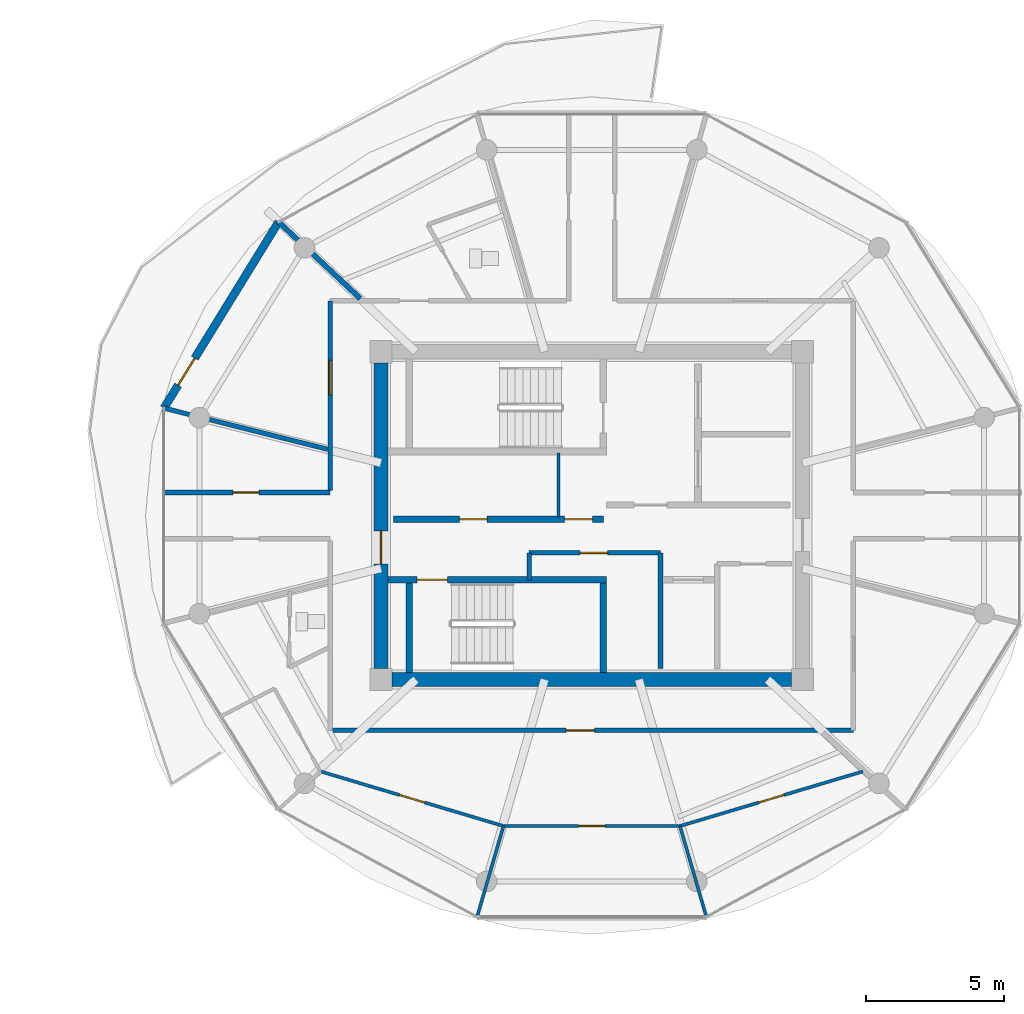
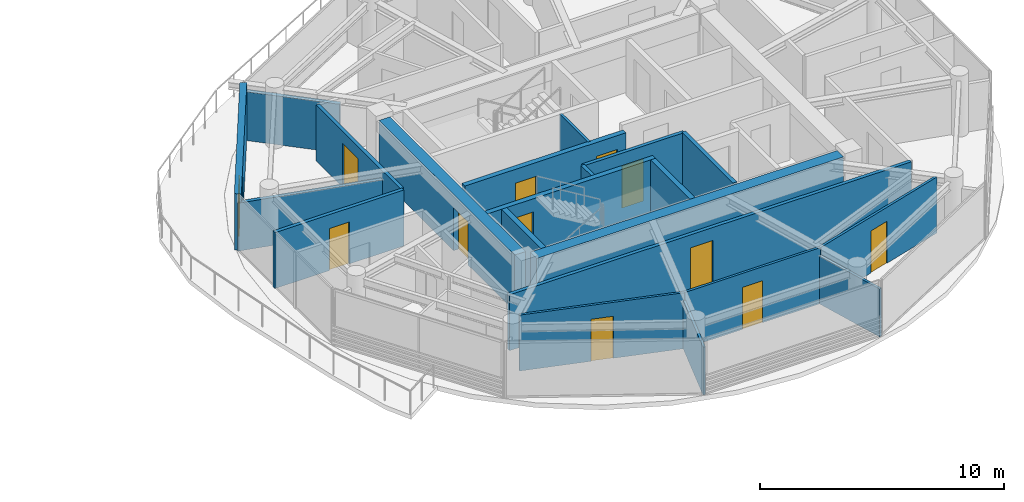
# One storey, part 12 of 19: 21 walls, 12 doors, 12 openings.
"""IFC4 building model written with IfcOpenShell, lengths in metres."""

from ifc_helpers import new_model, si_unit, direction, frame, frame_2d, origin, place, context, subcontext, project, spatial, rectangle, extrude, source, transform, mapped, material, layer, layer_set, type_object, type_shapes, element, fill, save


model = new_model("IFC4")

# Units and contexts
model_context = context("Model", 3, precision=1e-05, world=origin(), true_north=direction((0.0, 1.0)))
body_context = subcontext(model_context, "Body", "Model", "MODEL_VIEW")
ifc_project = project(units=[si_unit("LENGTHUNIT", "METRE"), si_unit("AREAUNIT", "SQUARE_METRE"), si_unit("VOLUMEUNIT", "CUBIC_METRE"), si_unit("PLANEANGLEUNIT", "RADIAN"), si_unit("MASSUNIT", "GRAM", prefix="KILO")], contexts=[model_context])

# Site, building, storey
site_placement = place(None, origin())
site = spatial("IfcSite", under=ifc_project, at=site_placement, CompositionType="ELEMENT")
building_placement = place(site_placement, origin())
building = spatial("IfcBuilding", under=site, at=building_placement, Name="Norrkilde Senior Care Towers", CompositionType="ELEMENT")
storey_placement = place(building_placement, frame((0.0, 0.0, 193.699951171875)))
storey = spatial("IfcBuildingStorey", under=building, at=storey_placement, Name="L60", CompositionType="ELEMENT", Elevation=193.699951171875)

# Wall
ifc_material_1 = material(Name="Concrete C50/60", Category="concrete")
ifc_layer_1 = layer(ifc_material_1, 0.52001953125)
ifc_layer_set_1 = layer_set([ifc_layer_1], Name="Concrete C50/60")
wall_type_1 = type_object("IfcWallType", Name="Core Shear Wall Z4 520", PredefinedType="SHEAR", material=ifc_layer_set_1)
shared_shape_1 = source(origin(), body_context, "Body", "SweptSolid", [
    extrude(rectangle(XDim=14.5, YDim=0.52001953125, at=frame_2d((7.25, 0.0))), origin(), (0.0, 0.0, 1.0), 2.81005859375),
])
wall_1_placement = place(storey_placement, frame((35.25, -5.949951171875, 0.0), z_axis=(0.0, 0.0, 1.0), x_axis=(-1.0, 0.0, 0.0)))
element("IfcWall", 1, at=wall_1_placement, inside=storey, type_object=wall_type_1, Name="L60 Core E South Shear Wall", PredefinedType="SHEAR", context=body_context, shape_type="MappedRepresentation", body=[
    mapped(shared_shape_1, transform((0.0, 0.0, 0.0), x_axis=(1.0, 0.0, 0.0), y_axis=(0.0, 1.0, 0.0), z_axis=(0.0, 0.0, 1.0), scale=1.0)),
])

# Wall, opening, door
shared_shape_2 = source(origin(), body_context, "Body", "SweptSolid", [
    extrude(rectangle(XDim=11.10009765625, YDim=0.52001953125, at=frame_2d((5.550048828125, 0.0))), origin(), (0.0, 0.0, 1.0), 2.81005859375),
])
type_shapes(wall_type_1, [shared_shape_1, shared_shape_2])
wall_2_placement = place(storey_placement, frame((20.35009765625, -5.550048828125, 0.0), z_axis=(0.0, 0.0, 1.0), x_axis=(0.0, 1.0, 0.0)))
wall_2 = element("IfcWall", 2, at=wall_2_placement, inside=storey, type_object=wall_type_1, Name="L60 Core E West Shear Wall", PredefinedType="SHEAR", context=body_context, shape_type="MappedRepresentation", body=[
    mapped(shared_shape_2, transform((0.0, 0.0, 0.0), x_axis=(1.0, 0.0, 0.0), y_axis=(0.0, 1.0, 0.0), z_axis=(0.0, 0.0, 1.0), scale=1.0)),
])
opening_1_placement = place(wall_2_placement, frame((3.800048828125, 0.0, 0.0)))
opening_1 = element("IfcOpeningElement", 3, at=opening_1_placement, cuts=wall_2, Name="Opening D-04", PredefinedType="OPENING", context=body_context, shape_type="SweptSolid", body=[
    extrude(rectangle(XDim=1.199951171875, YDim=2.14990234375, at=frame_2d((0.60009765625, 1.074951171875))), frame((0.0, 0.27001953125, 0.0), z_axis=(0.0, -1.0, 0.0), x_axis=(1.0, 0.0, 0.0)), (0.0, 0.0, 1.0), 0.5400390625),
])
ifc_material_2 = material(Name="Galvanised Painted Steel", Category="steel")
door_type_1 = type_object("IfcDoorType", Name="Firefighting Lobby Fire Door 1200x2150", OperationType="NOTDEFINED", PredefinedType="DOOR", material=ifc_material_2)
shared_shape_3 = source(origin(), body_context, "Body", "SweptSolid", [
    extrude(rectangle(XDim=1.199951171875, YDim=2.14990234375, at=frame_2d((0.60009765625, 1.074951171875))), frame((0.0, 0.02490234375, 0.0), z_axis=(0.0, -1.0, 0.0), x_axis=(1.0, 0.0, 0.0)), (0.0, 0.0, 1.0), 0.050048828125),
])
type_shapes(door_type_1, [shared_shape_3])
door_1_placement = place(opening_1_placement, frame((1.199951171875, 0.0, 0.0), z_axis=(0.0, 0.0, 1.0), x_axis=(-1.0, 0.0, 0.0)))
door_1 = element("IfcDoor", 4, at=door_1_placement, inside=storey, type_object=door_type_1, Name="L60 Core E West Portal Door", OperationType="SINGLE_SWING_LEFT", OverallHeight=2.14990234375, OverallWidth=1.199951171875, PredefinedType="DOOR", context=body_context, shape_type="MappedRepresentation", body=[
    mapped(shared_shape_3, transform((0.0, 0.0, 0.0), x_axis=(1.0, 0.0, 0.0), y_axis=(0.0, 1.0, 0.0), z_axis=(0.0, 0.0, 1.0), scale=1.0)),
])
fill(opening_1, door_1)

ifc_material_3 = material(Name="Precast concrete C45/55", Category="concrete")
ifc_layer_2 = layer(ifc_material_3, 0.2900390625)
ifc_layer_set_2 = layer_set([ifc_layer_2], Name="Precast concrete C45/55")
wall_type_2 = type_object("IfcWallType", Name="Winter Garden Facade Wall 290", PredefinedType="SOLIDWALL", material=ifc_layer_set_2)
shared_shape_4 = source(origin(), body_context, "Body", "SweptSolid", [
    extrude(rectangle(XDim=7.938232421875, YDim=0.2900390625, at=frame_2d((3.96923828125, 0.0))), origin(), (0.0, 0.0, 1.0), 2.81005859375),
])
type_shapes(wall_type_2, [shared_shape_4])
wall_3_placement = place(storey_placement, frame((12.468017578125, 3.903076171875, 0.0), z_axis=(0.0, 0.0, 1.0), x_axis=(0.524244987663, 0.851567491694, 0.0)))
wall_3 = element("IfcWall", 5, at=wall_3_placement, inside=storey, type_object=wall_type_2, Name="L60 Drum E Balcony Access Wall 04", PredefinedType="SOLIDWALL", context=body_context, shape_type="MappedRepresentation", body=[
    mapped(shared_shape_4, transform((0.0, 0.0, 0.0), x_axis=(1.0, 0.0, 0.0), y_axis=(0.0, 1.0, 0.0), z_axis=(0.0, 0.0, 1.0), scale=1.0)),
])
opening_2_placement = place(wall_3_placement, frame((0.97998046875, 0.0, 0.0)))
opening_2 = element("IfcOpeningElement", 6, at=opening_2_placement, cuts=wall_3, Name="Opening D-09", PredefinedType="OPENING", context=body_context, shape_type="SweptSolid", body=[
    extrude(rectangle(XDim=1.14990234375, YDim=2.25, at=frame_2d((0.574951171875, 1.125))), frame((0.0, 0.155029296875, 0.0), z_axis=(0.0, -1.0, 0.0), x_axis=(1.0, 0.0, 0.0)), (0.0, 0.0, 1.0), 0.31005859375),
])
ifc_material_4 = material(Name="Anodised Aluminium", Category="aluminium")
door_type_2 = type_object("IfcDoorType", Name="Terrace and Balcony Glazed Door 1150x2250", OperationType="NOTDEFINED", PredefinedType="DOOR", material=ifc_material_4)
shared_shape_5 = source(origin(), body_context, "Body", "SweptSolid", [
    extrude(rectangle(XDim=1.14990234375, YDim=2.25, at=frame_2d((0.574951171875, 1.125))), frame((0.0, 0.02490234375, 0.0), z_axis=(0.0, -1.0, 0.0), x_axis=(1.0, 0.0, 0.0)), (0.0, 0.0, 1.0), 0.050048828125),
])
type_shapes(door_type_2, [shared_shape_5])
door_2_placement = place(opening_2_placement, origin())
door_2 = element("IfcDoor", 7, at=door_2_placement, inside=storey, type_object=door_type_2, Name="L60 Drum E Outdoor Terrace Door 04", OperationType="SINGLE_SWING_LEFT", OverallHeight=2.25, OverallWidth=1.14990234375, PredefinedType="DOOR", context=body_context, shape_type="MappedRepresentation", body=[
    mapped(shared_shape_5, transform((0.0, 0.0, 0.0), x_axis=(1.0, 0.0, 0.0), y_axis=(0.0, 1.0, 0.0), z_axis=(0.0, 0.0, 1.0), scale=1.0)),
])
fill(opening_2, door_2)

# Wall, openings, doors
ifc_material_5 = material(Name="Concrete C45/55", Category="concrete")
ifc_layer_3 = layer(ifc_material_5, 0.239990234375)
ifc_layer_set_3 = layer_set([ifc_layer_3], Name="Concrete C45/55")
wall_type_3 = type_object("IfcWallType", Name="Lift and Plant Rated Enclosure Partition 240", PredefinedType="PARTITIONING", material=ifc_layer_set_3)
shared_shape_6 = source(origin(), body_context, "Body", "SweptSolid", [
    extrude(rectangle(XDim=7.619873046875, YDim=0.239990234375, at=frame_2d((3.81005859375, 0.0))), origin(), (0.0, 0.0, 1.0), 2.795166015625),
])
type_shapes(wall_type_3, [shared_shape_6])
wall_4_placement = place(storey_placement, frame((20.800048828125, -0.1298828125, 0.0), z_axis=(0.0, 0.0, 1.0), x_axis=(1.0, 0.0, 0.0)))
wall_4 = element("IfcWall", 8, at=wall_4_placement, inside=storey, type_object=wall_type_3, Name="WL-INT-L60-E-PKAS", PredefinedType="PARTITIONING", context=body_context, shape_type="MappedRepresentation", body=[
    mapped(shared_shape_6, transform((0.0, 0.0, 0.0), x_axis=(1.0, 0.0, 0.0), y_axis=(0.0, 1.0, 0.0), z_axis=(0.0, 0.0, 1.0), scale=1.0)),
])
opening_3_placement = place(wall_4_placement, frame((6.219970703125, 0.0, 0.0)))
opening_3 = element("IfcOpeningElement", 9, at=opening_3_placement, cuts=wall_4, Name="Opening D-10", PredefinedType="OPENING", context=body_context, shape_type="SweptSolid", body=[
    extrude(rectangle(XDim=1.0, YDim=2.10009765625, at=frame_2d((0.5, 1.050048828125))), frame((0.0, 0.1298828125, 0.0), z_axis=(0.0, -1.0, 0.0), x_axis=(1.0, 0.0, 0.0)), (0.0, 0.0, 1.0), 0.260009765625),
])
opening_4_placement = place(wall_4_placement, frame((2.39990234375, 0.0, 0.0)))
opening_4 = element("IfcOpeningElement", 10, at=opening_4_placement, cuts=wall_4, Name="Opening D-10", PredefinedType="OPENING", context=body_context, shape_type="SweptSolid", body=[
    extrude(rectangle(XDim=1.0, YDim=2.10009765625, at=frame_2d((0.5, 1.050048828125))), frame((0.0, 0.1298828125, 0.0), z_axis=(0.0, -1.0, 0.0), x_axis=(1.0, 0.0, 0.0)), (0.0, 0.0, 1.0), 0.260009765625),
])
door_type_3 = type_object("IfcDoorType", Name="Plant and Riser Rated Door 1000x2100", OperationType="NOTDEFINED", PredefinedType="DOOR", material=ifc_material_2)
shared_shape_7 = source(origin(), body_context, "Body", "SweptSolid", [
    extrude(rectangle(XDim=1.0, YDim=2.10009765625, at=frame_2d((0.5, 1.050048828125))), frame((0.0, 0.02490234375, 0.0), z_axis=(0.0, -1.0, 0.0), x_axis=(1.0, 0.0, 0.0)), (0.0, 0.0, 1.0), 0.050048828125),
])
type_shapes(door_type_3, [shared_shape_7])
door_3_placement = place(opening_3_placement, frame((1.0, 0.0, 0.0), z_axis=(0.0, 0.0, 1.0), x_axis=(-1.0, 0.0, 0.0)))
door_3 = element("IfcDoor", 11, at=door_3_placement, inside=storey, type_object=door_type_3, Name="L60 Electrical Riser E Door", OperationType="SINGLE_SWING_LEFT", OverallHeight=2.10009765625, OverallWidth=1.0, PredefinedType="DOOR", context=body_context, shape_type="MappedRepresentation", body=[
    mapped(shared_shape_7, transform((0.0, 0.0, 0.0), x_axis=(1.0, 0.0, 0.0), y_axis=(0.0, 1.0, 0.0), z_axis=(0.0, 0.0, 1.0), scale=1.0)),
])
fill(opening_3, door_3)
door_4_placement = place(opening_4_placement, frame((1.0, 0.0, 0.0), z_axis=(0.0, 0.0, 1.0), x_axis=(-1.0, 0.0, 0.0)))
door_4 = element("IfcDoor", 12, at=door_4_placement, inside=storey, type_object=door_type_3, Name="L60 Clean Supply Store E Door", OperationType="SINGLE_SWING_LEFT", OverallHeight=2.10009765625, OverallWidth=1.0, PredefinedType="DOOR", context=body_context, shape_type="MappedRepresentation", body=[
    mapped(shared_shape_7, transform((0.0, 0.0, 0.0), x_axis=(1.0, 0.0, 0.0), y_axis=(0.0, 1.0, 0.0), z_axis=(0.0, 0.0, 1.0), scale=1.0)),
])
fill(opening_4, door_4)

# Wall
ifc_material_6 = material(Name="Gypsum Acoustic Board")
ifc_layer_4 = layer(ifc_material_6, 0.114990234375)
ifc_layer_set_4 = layer_set([ifc_layer_4], Name="Gypsum Acoustic Board")
wall_type_4 = type_object("IfcWallType", Name="Internal Room Partition 115", PredefinedType="PARTITIONING", material=ifc_layer_set_4)
shared_shape_8 = source(origin(), body_context, "Body", "SweptSolid", [
    extrude(rectangle(XDim=2.330078125, YDim=0.114990234375, at=frame_2d((1.1650390625, 0.0))), origin(), (0.0, 0.0, 1.0), 2.795166015625),
])
wall_5_placement = place(storey_placement, frame((26.7900390625, -0.050048828125, 0.0), z_axis=(0.0, 0.0, 1.0), x_axis=(0.0, 1.0, 0.0)))
element("IfcWall", 13, at=wall_5_placement, inside=storey, type_object=wall_type_4, Name="WL-INT-L60-E-RISW", PredefinedType="PARTITIONING", context=body_context, shape_type="MappedRepresentation", body=[
    mapped(shared_shape_8, transform((0.0, 0.0, 0.0), x_axis=(1.0, 0.0, 0.0), y_axis=(0.0, 1.0, 0.0), z_axis=(0.0, 0.0, 1.0), scale=1.0)),
])

# Wall, opening, door
ifc_layer_5 = layer(ifc_material_6, 0.1650390625)
ifc_layer_set_5 = layer_set([ifc_layer_5], Name="Gypsum Acoustic Board")
wall_type_5 = type_object("IfcWallType", Name="Corridor Rated Partition 165", PredefinedType="PARTITIONING", material=ifc_layer_set_5)
shared_shape_9 = source(origin(), body_context, "Body", "SweptSolid", [
    extrude(rectangle(XDim=19.0, YDim=0.1650390625, at=frame_2d((9.5, 0.0))), origin(), (0.0, 0.0, 1.0), 2.795166015625),
])
wall_6_placement = place(storey_placement, frame((37.5, -7.800048828125, 0.0), z_axis=(0.0, 0.0, 1.0), x_axis=(-1.0, 0.0, 0.0)))
wall_6 = element("IfcWall", 14, at=wall_6_placement, inside=storey, type_object=wall_type_5, Name="WL-INT-L60-E-CRW-S-0", PredefinedType="PARTITIONING", context=body_context, shape_type="MappedRepresentation", body=[
    mapped(shared_shape_9, transform((0.0, 0.0, 0.0), x_axis=(1.0, 0.0, 0.0), y_axis=(0.0, 1.0, 0.0), z_axis=(0.0, 0.0, 1.0), scale=1.0)),
])
opening_5_placement = place(wall_6_placement, frame((9.39208984375, 0.0, 0.0)))
opening_5 = element("IfcOpeningElement", 15, at=opening_5_placement, cuts=wall_6, Name="Opening D-06", PredefinedType="OPENING", context=body_context, shape_type="SweptSolid", body=[
    extrude(rectangle(XDim=1.050048828125, YDim=2.14990234375, at=frame_2d((0.52490234375, 1.074951171875))), frame((0.0, 0.092529296875, 0.0), z_axis=(0.0, -1.0, 0.0), x_axis=(1.0, 0.0, 0.0)), (0.0, 0.0, 1.0), 0.18505859375),
])
ifc_material_7 = material(Name="Nordic Ash Timber", Category="wood")
door_type_4 = type_object("IfcDoorType", Name="Apartment Entrance Fire Door 1050x2150", OperationType="NOTDEFINED", PredefinedType="DOOR", material=ifc_material_7)
shared_shape_10 = source(origin(), body_context, "Body", "SweptSolid", [
    extrude(rectangle(XDim=1.050048828125, YDim=2.14990234375, at=frame_2d((0.52490234375, 1.074951171875))), frame((0.0, 0.02490234375, 0.0), z_axis=(0.0, -1.0, 0.0), x_axis=(1.0, 0.0, 0.0)), (0.0, 0.0, 1.0), 0.050048828125),
])
type_shapes(door_type_4, [shared_shape_10])
door_5_placement = place(opening_5_placement, frame((1.050048828125, 0.0, 0.0), z_axis=(0.0, 0.0, 1.0), x_axis=(-1.0, 0.0, 0.0)))
door_5 = element("IfcDoor", 16, at=door_5_placement, inside=storey, type_object=door_type_4, Name="Apartment 60D Entrance Door", OperationType="SINGLE_SWING_LEFT", OverallHeight=2.14990234375, OverallWidth=1.050048828125, PredefinedType="DOOR", context=body_context, shape_type="MappedRepresentation", body=[
    mapped(shared_shape_10, transform((0.0, 0.0, 0.0), x_axis=(1.0, 0.0, 0.0), y_axis=(0.0, 1.0, 0.0), z_axis=(0.0, 0.0, 1.0), scale=1.0)),
])
fill(opening_5, door_5)

shared_shape_11 = source(origin(), body_context, "Body", "SweptSolid", [
    extrude(rectangle(XDim=6.880126953125, YDim=0.1650390625, at=frame_2d((3.43994140625, 0.0))), origin(), (0.0, 0.0, 1.0), 2.795166015625),
])
wall_7_placement = place(storey_placement, frame((18.5, 0.919921875, 0.0), z_axis=(0.0, 0.0, 1.0), x_axis=(0.0, 1.0, 0.0)))
wall_7 = element("IfcWall", 17, at=wall_7_placement, inside=storey, type_object=wall_type_5, Name="WL-INT-L60-E-CRW-W-1", PredefinedType="PARTITIONING", context=body_context, shape_type="MappedRepresentation", body=[
    mapped(shared_shape_11, transform((0.0, 0.0, 0.0), x_axis=(1.0, 0.0, 0.0), y_axis=(0.0, 1.0, 0.0), z_axis=(0.0, 0.0, 1.0), scale=1.0)),
])
opening_6_placement = place(wall_7_placement, frame((3.46435546875, 0.0, 0.0)))
opening_6 = element("IfcOpeningElement", 18, at=opening_6_placement, cuts=wall_7, Name="Opening D-05", PredefinedType="OPENING", context=body_context, shape_type="SweptSolid", body=[
    extrude(rectangle(XDim=1.25, YDim=2.199951171875, at=frame_2d((0.625, 1.10009765625))), frame((0.0, 0.092529296875, 0.0), z_axis=(0.0, -1.0, 0.0), x_axis=(1.0, 0.0, 0.0)), (0.0, 0.0, 1.0), 0.18505859375),
])
door_type_5 = type_object("IfcDoorType", Name="Care Bedroom Bariatric Door 1250x2200", OperationType="NOTDEFINED", PredefinedType="DOOR", material=ifc_material_7)
shared_shape_12 = source(origin(), body_context, "Body", "SweptSolid", [
    extrude(rectangle(XDim=1.25, YDim=2.199951171875, at=frame_2d((0.625, 1.10009765625))), frame((0.0, 0.02490234375, 0.0), z_axis=(0.0, -1.0, 0.0), x_axis=(1.0, 0.0, 0.0)), (0.0, 0.0, 1.0), 0.050048828125),
])
type_shapes(door_type_5, [shared_shape_12])
door_6_placement = place(opening_6_placement, frame((1.25, 0.0, 0.0), z_axis=(0.0, 0.0, 1.0), x_axis=(-1.0, 0.0, 0.0)))
door_6 = element("IfcDoor", 19, at=door_6_placement, inside=storey, type_object=door_type_5, Name="L60 Senior Wellness Library Lounge Door", OperationType="SINGLE_SWING_LEFT", OverallHeight=2.199951171875, OverallWidth=1.25, PredefinedType="DOOR", context=body_context, shape_type="MappedRepresentation", body=[
    mapped(shared_shape_12, transform((0.0, 0.0, 0.0), x_axis=(1.0, 0.0, 0.0), y_axis=(0.0, 1.0, 0.0), z_axis=(0.0, 0.0, 1.0), scale=1.0)),
])
fill(opening_6, door_6)

# Wall
ifc_layer_6 = layer(ifc_material_5, 0.179931640625)
ifc_layer_set_6 = layer_set([ifc_layer_6], Name="Concrete C45/55")
wall_type_6 = type_object("IfcWallType", Name="Hoistway Division Rated Partition 180", PredefinedType="PARTITIONING", material=ifc_layer_set_6)
shared_shape_13 = source(origin(), body_context, "Body", "SweptSolid", [
    extrude(rectangle(XDim=4.199951171875, YDim=0.179931640625, at=frame_2d((2.10009765625, 0.0))), origin(), (0.0, 0.0, 1.0), 2.795166015625),
])
type_shapes(wall_type_6, [shared_shape_13])
wall_8_placement = place(storey_placement, frame((30.5, -5.550048828125, 0.0), z_axis=(0.0, 0.0, 1.0), x_axis=(0.0, 1.0, 0.0)))
element("IfcWall", 20, at=wall_8_placement, inside=storey, type_object=wall_type_6, Name="WL-INT-L60-E-PL4W", PredefinedType="PARTITIONING", context=body_context, shape_type="MappedRepresentation", body=[
    mapped(shared_shape_13, transform((0.0, 0.0, 0.0), x_axis=(1.0, 0.0, 0.0), y_axis=(0.0, 1.0, 0.0), z_axis=(0.0, 0.0, 1.0), scale=1.0)),
])

# Wall, opening, door
shared_shape_14 = source(origin(), body_context, "Body", "SweptSolid", [
    extrude(rectangle(XDim=4.77001953125, YDim=0.1650390625, at=frame_2d((2.385009765625, 0.0))), origin(), (0.0, 0.0, 1.0), 2.795166015625),
])
wall_9_placement = place(storey_placement, frame((25.72998046875, -1.35009765625, 0.0), z_axis=(0.0, 0.0, 1.0), x_axis=(1.0, 0.0, 0.0)))
wall_9 = element("IfcWall", 21, at=wall_9_placement, inside=storey, type_object=wall_type_5, Name="WL-INT-L60-E-FR2N", PredefinedType="PARTITIONING", context=body_context, shape_type="MappedRepresentation", body=[
    mapped(shared_shape_14, transform((0.0, 0.0, 0.0), x_axis=(1.0, 0.0, 0.0), y_axis=(0.0, 1.0, 0.0), z_axis=(0.0, 0.0, 1.0), scale=1.0)),
])
opening_7_placement = place(wall_9_placement, frame((1.85009765625, 0.0, 0.0)))
opening_7 = element("IfcOpeningElement", 22, at=opening_7_placement, cuts=wall_9, Name="Opening D-10", PredefinedType="OPENING", context=body_context, shape_type="SweptSolid", body=[
    extrude(rectangle(XDim=1.0, YDim=2.10009765625, at=frame_2d((0.5, 1.050048828125))), frame((0.0, 0.092529296875, 0.0), z_axis=(0.0, -1.0, 0.0), x_axis=(1.0, 0.0, 0.0)), (0.0, 0.0, 1.0), 0.18505859375),
])
door_7_placement = place(opening_7_placement, origin())
door_7 = element("IfcDoor", 23, at=door_7_placement, inside=storey, type_object=door_type_3, Name="L60 Core Pantry E Door", OperationType="SINGLE_SWING_RIGHT", OverallHeight=2.10009765625, OverallWidth=1.0, PredefinedType="DOOR", context=body_context, shape_type="MappedRepresentation", body=[
    mapped(shared_shape_7, transform((0.0, 0.0, 0.0), x_axis=(1.0, 0.0, 0.0), y_axis=(0.0, 1.0, 0.0), z_axis=(0.0, 0.0, 1.0), scale=1.0)),
])
fill(opening_7, door_7)

# Wall
shared_shape_15 = source(origin(), body_context, "Body", "SweptSolid", [
    extrude(rectangle(XDim=0.97998046875, YDim=0.1650390625, at=frame_2d((0.489990234375, 0.0))), origin(), (0.0, 0.0, 1.0), 2.795166015625),
])
wall_10_placement = place(storey_placement, frame((25.72998046875, -2.330078125, 0.0), z_axis=(0.0, 0.0, 1.0), x_axis=(0.0, 1.0, 0.0)))
element("IfcWall", 24, at=wall_10_placement, inside=storey, type_object=wall_type_5, Name="WL-INT-L60-E-FR2W", PredefinedType="PARTITIONING", context=body_context, shape_type="MappedRepresentation", body=[
    mapped(shared_shape_15, transform((0.0, 0.0, 0.0), x_axis=(1.0, 0.0, 0.0), y_axis=(0.0, 1.0, 0.0), z_axis=(0.0, 0.0, 1.0), scale=1.0)),
])

# Wall, opening, door
ifc_layer_7 = layer(ifc_material_5, 0.239990234375)
ifc_layer_set_7 = layer_set([ifc_layer_7], Name="Concrete C45/55")
wall_type_7 = type_object("IfcWallType", Name="Shaft and Stair Enclosure Wall 240", PredefinedType="PARTITIONING", material=ifc_layer_set_7)
shared_shape_16 = source(origin(), body_context, "Body", "SweptSolid", [
    extrude(rectangle(XDim=7.929931640625, YDim=0.239990234375, at=frame_2d((3.96484375, 0.0))), origin(), (0.0, 0.0, 1.0), 2.81005859375),
])
wall_11_placement = place(storey_placement, frame((20.610107421875, -2.330078125, 0.0), z_axis=(0.0, 0.0, 1.0), x_axis=(1.0, 0.0, 0.0)))
wall_11 = element("IfcWall", 25, at=wall_11_placement, inside=storey, type_object=wall_type_7, Name="WL-INT-L60-E-ST2N", PredefinedType="PARTITIONING", context=body_context, shape_type="MappedRepresentation", body=[
    mapped(shared_shape_16, transform((0.0, 0.0, 0.0), x_axis=(1.0, 0.0, 0.0), y_axis=(0.0, 1.0, 0.0), z_axis=(0.0, 0.0, 1.0), scale=1.0)),
])
opening_8_placement = place(wall_11_placement, frame((1.050048828125, 0.0, 0.0)))
opening_8 = element("IfcOpeningElement", 26, at=opening_8_placement, cuts=wall_11, Name="Opening D-03", PredefinedType="OPENING", context=body_context, shape_type="SweptSolid", body=[
    extrude(rectangle(XDim=1.10009765625, YDim=2.14990234375, at=frame_2d((0.550048828125, 1.074951171875))), frame((0.0, 0.1298828125, 0.0), z_axis=(0.0, -1.0, 0.0), x_axis=(1.0, 0.0, 0.0)), (0.0, 0.0, 1.0), 0.260009765625),
])
door_type_6 = type_object("IfcDoorType", Name="Stairwell Protected Fire Door 1100x2150", OperationType="NOTDEFINED", PredefinedType="DOOR", material=ifc_material_2)
shared_shape_17 = source(origin(), body_context, "Body", "SweptSolid", [
    extrude(rectangle(XDim=1.10009765625, YDim=2.14990234375, at=frame_2d((0.550048828125, 1.074951171875))), frame((0.0, 0.02490234375, 0.0), z_axis=(0.0, -1.0, 0.0), x_axis=(1.0, 0.0, 0.0)), (0.0, 0.0, 1.0), 0.050048828125),
])
type_shapes(door_type_6, [shared_shape_17])
door_8_placement = place(opening_8_placement, frame((1.10009765625, 0.0, 0.0), z_axis=(0.0, 0.0, 1.0), x_axis=(-1.0, 0.0, 0.0)))
door_8 = element("IfcDoor", 27, at=door_8_placement, inside=storey, type_object=door_type_6, Name="L60 Stair E2 Fire Door", OperationType="SINGLE_SWING_RIGHT", OverallHeight=2.14990234375, OverallWidth=1.10009765625, PredefinedType="DOOR", context=body_context, shape_type="MappedRepresentation", body=[
    mapped(shared_shape_17, transform((0.0, 0.0, 0.0), x_axis=(1.0, 0.0, 0.0), y_axis=(0.0, 1.0, 0.0), z_axis=(0.0, 0.0, 1.0), scale=1.0)),
])
fill(opening_8, door_8)

# Walls
shared_shape_18 = source(origin(), body_context, "Body", "SweptSolid", [
    extrude(rectangle(XDim=3.239990234375, YDim=0.239990234375, at=frame_2d((1.6201171875, 0.0))), origin(), (0.0, 0.0, 1.0), 2.81005859375),
])
type_shapes(wall_type_7, [shared_shape_16, shared_shape_18])
for number, where, z_axis, x_axis, name in (
    (28, (21.3798828125, -5.68994140625, 0.0), (0.0, 0.0, 1.0), (0.0, 1.0, 0.0), "WL-INT-L60-E-ST2W"),
    (29, (28.419921875, -5.68994140625, 0.0), (0.0, 0.0, 1.0), (0.0, 1.0, 0.0), "WL-INT-L60-E-ST2E"),
):
    element("IfcWall", number, at=place(storey_placement, frame(where, z_axis=z_axis, x_axis=x_axis)), inside=storey, type_object=wall_type_7, Name=name, PredefinedType="PARTITIONING", context=body_context, shape_type="MappedRepresentation", body=[
        mapped(shared_shape_18, transform((0.0, 0.0, 0.0), x_axis=(1.0, 0.0, 0.0), y_axis=(0.0, 1.0, 0.0), z_axis=(0.0, 0.0, 1.0), scale=1.0)),
    ])
shared_shape_19 = source(origin(), body_context, "Body", "SweptSolid", [
    extrude(rectangle(XDim=6.1572265625, YDim=0.1650390625, at=frame_2d((3.07861328125, 0.0))), origin(), (0.0, 0.0, 1.0), 2.39501953125),
])
wall_12_placement = place(storey_placement, frame((18.419921875, 2.407470703125, 0.0), z_axis=(0.0, 0.0, 1.0), x_axis=(-0.969840867184, 0.243738984038, 0.0)))
element("IfcWall", 30, at=wall_12_placement, inside=storey, type_object=wall_type_5, Name="WL-INT-L60-E-DEM-05-0", PredefinedType="PARTITIONING", context=body_context, shape_type="MappedRepresentation", body=[
    mapped(shared_shape_19, transform((0.0, 0.0, 0.0), x_axis=(1.0, 0.0, 0.0), y_axis=(0.0, 1.0, 0.0), z_axis=(0.0, 0.0, 1.0), scale=1.0)),
])

# Wall, opening, door
shared_shape_20 = source(origin(), body_context, "Body", "SweptSolid", [
    extrude(rectangle(XDim=6.101318359375, YDim=0.1650390625, at=frame_2d((3.05078125, 0.0))), origin(), (0.0, 0.0, 1.0), 2.795166015625),
])
type_shapes(wall_type_5, [shared_shape_9, shared_shape_11, shared_shape_14, shared_shape_15, shared_shape_19, shared_shape_20])
wall_13_placement = place(storey_placement, frame((12.398681640625, 0.840087890625, 0.0), z_axis=(0.0, 0.0, 1.0), x_axis=(1.0, 0.0, 0.0)))
wall_13 = element("IfcWall", 31, at=wall_13_placement, inside=storey, type_object=wall_type_5, Name="WL-INT-L60-E-SPK-W1-0", PredefinedType="PARTITIONING", context=body_context, shape_type="MappedRepresentation", body=[
    mapped(shared_shape_20, transform((0.0, 0.0, 0.0), x_axis=(1.0, 0.0, 0.0), y_axis=(0.0, 1.0, 0.0), z_axis=(0.0, 0.0, 1.0), scale=1.0)),
])
opening_9_placement = place(wall_13_placement, frame((2.57568359375, 0.0, 0.0)))
opening_9 = element("IfcOpeningElement", 32, at=opening_9_placement, cuts=wall_13, Name="Opening D-07", PredefinedType="OPENING", context=body_context, shape_type="SweptSolid", body=[
    extrude(rectangle(XDim=0.949951171875, YDim=2.10009765625, at=frame_2d((0.47509765625, 1.050048828125))), frame((0.0, 0.092529296875, 0.0), z_axis=(0.0, -1.0, 0.0), x_axis=(1.0, 0.0, 0.0)), (0.0, 0.0, 1.0), 0.18505859375),
])
door_type_7 = type_object("IfcDoorType", Name="Internal Suite Bedroom Door 950x2100", OperationType="NOTDEFINED", PredefinedType="DOOR", material=ifc_material_7)
shared_shape_21 = source(origin(), body_context, "Body", "SweptSolid", [
    extrude(rectangle(XDim=0.949951171875, YDim=2.10009765625, at=frame_2d((0.47509765625, 1.050048828125))), frame((0.0, 0.02490234375, 0.0), z_axis=(0.0, -1.0, 0.0), x_axis=(1.0, 0.0, 0.0)), (0.0, 0.0, 1.0), 0.050048828125),
])
type_shapes(door_type_7, [shared_shape_21])
door_9_placement = place(opening_9_placement, frame((0.949951171875, 0.0, 0.0), z_axis=(0.0, 0.0, 1.0), x_axis=(-1.0, 0.0, 0.0)))
door_9 = element("IfcDoor", 33, at=door_9_placement, inside=storey, type_object=door_type_7, Name="L60 Sun Reading Lounge 2 Door", OperationType="SINGLE_SWING_LEFT", OverallHeight=2.10009765625, OverallWidth=0.949951171875, PredefinedType="DOOR", context=body_context, shape_type="MappedRepresentation", body=[
    mapped(shared_shape_21, transform((0.0, 0.0, 0.0), x_axis=(1.0, 0.0, 0.0), y_axis=(0.0, 1.0, 0.0), z_axis=(0.0, 0.0, 1.0), scale=1.0)),
])
fill(opening_9, door_9)

shared_shape_22 = source(origin(), body_context, "Body", "SweptSolid", [
    extrude(rectangle(XDim=6.935791015625, YDim=0.114990234375, at=frame_2d((3.4677734375, 0.0))), origin(), (0.0, 0.0, 1.0), 2.795166015625),
])
wall_14_placement = place(storey_placement, frame((18.1513671875, -9.287109375, 0.0), z_axis=(0.0, 0.0, 1.0), x_axis=(0.958186895835, -0.286143098205, 0.0)))
wall_14 = element("IfcWall", 34, at=wall_14_placement, inside=storey, type_object=wall_type_4, Name="WL-INT-L60-E-UBC-06-1", PredefinedType="PARTITIONING", context=body_context, shape_type="MappedRepresentation", body=[
    mapped(shared_shape_22, transform((0.0, 0.0, 0.0), x_axis=(1.0, 0.0, 0.0), y_axis=(0.0, 1.0, 0.0), z_axis=(0.0, 0.0, 1.0), scale=1.0)),
])
opening_10_placement = place(wall_14_placement, frame((2.992919921875, 0.0, 0.0)))
opening_10 = element("IfcOpeningElement", 35, at=opening_10_placement, cuts=wall_14, Name="Opening D-07", PredefinedType="OPENING", context=body_context, shape_type="SweptSolid", body=[
    extrude(rectangle(XDim=0.949951171875, YDim=2.10009765625, at=frame_2d((0.47509765625, 1.050048828125))), frame((0.0, 0.0673828125, 0.0), z_axis=(0.0, -1.0, 0.0), x_axis=(1.0, 0.0, 0.0)), (0.0, 0.0, 1.0), 0.135009765625),
])
door_10_placement = place(opening_10_placement, origin())
door_10 = element("IfcDoor", 36, at=door_10_placement, inside=storey, type_object=door_type_7, Name="Apartment 60D Bedroom 1 Door", OperationType="SINGLE_SWING_RIGHT", OverallHeight=2.10009765625, OverallWidth=0.949951171875, PredefinedType="DOOR", context=body_context, shape_type="MappedRepresentation", body=[
    mapped(shared_shape_21, transform((0.0, 0.0, 0.0), x_axis=(1.0, 0.0, 0.0), y_axis=(0.0, 1.0, 0.0), z_axis=(0.0, 0.0, 1.0), scale=1.0)),
])
fill(opening_10, door_10)

wall_15_placement = place(storey_placement, frame((31.202880859375, -11.271728515625, 0.0), z_axis=(0.0, 0.0, 1.0), x_axis=(0.958186895835, 0.286143098205, 0.0)))
wall_15 = element("IfcWall", 37, at=wall_15_placement, inside=storey, type_object=wall_type_4, Name="WL-INT-L60-E-UBC-06-3", PredefinedType="PARTITIONING", context=body_context, shape_type="MappedRepresentation", body=[
    mapped(shared_shape_22, transform((0.0, 0.0, 0.0), x_axis=(1.0, 0.0, 0.0), y_axis=(0.0, 1.0, 0.0), z_axis=(0.0, 0.0, 1.0), scale=1.0)),
])
opening_11_placement = place(wall_15_placement, frame((2.992919921875, 0.0, 0.0)))
opening_11 = element("IfcOpeningElement", 38, at=opening_11_placement, cuts=wall_15, Name="Opening D-07", PredefinedType="OPENING", context=body_context, shape_type="SweptSolid", body=[
    extrude(rectangle(XDim=0.949951171875, YDim=2.10009765625, at=frame_2d((0.47509765625, 1.050048828125))), frame((0.0, 0.0673828125, 0.0), z_axis=(0.0, -1.0, 0.0), x_axis=(1.0, 0.0, 0.0)), (0.0, 0.0, 1.0), 0.135009765625),
])
door_11_placement = place(opening_11_placement, origin())
door_11 = element("IfcDoor", 39, at=door_11_placement, inside=storey, type_object=door_type_7, Name="Apartment 60D Bedroom 3 Door", OperationType="SINGLE_SWING_RIGHT", OverallHeight=2.10009765625, OverallWidth=0.949951171875, PredefinedType="DOOR", context=body_context, shape_type="MappedRepresentation", body=[
    mapped(shared_shape_21, transform((0.0, 0.0, 0.0), x_axis=(1.0, 0.0, 0.0), y_axis=(0.0, 1.0, 0.0), z_axis=(0.0, 0.0, 1.0), scale=1.0)),
])
fill(opening_11, door_11)

shared_shape_23 = source(origin(), body_context, "Body", "SweptSolid", [
    extrude(rectangle(XDim=6.404296875, YDim=0.114990234375, at=frame_2d((3.2021484375, 0.0))), origin(), (0.0, 0.0, 1.0), 2.795166015625),
])
wall_16_placement = place(storey_placement, frame((24.7978515625, -11.26904296875, 0.0), z_axis=(0.0, 0.0, 1.0), x_axis=(1.0, 0.0, 0.0)))
wall_16 = element("IfcWall", 40, at=wall_16_placement, inside=storey, type_object=wall_type_4, Name="WL-INT-L60-E-UBC-06-2", PredefinedType="PARTITIONING", context=body_context, shape_type="MappedRepresentation", body=[
    mapped(shared_shape_23, transform((0.0, 0.0, 0.0), x_axis=(1.0, 0.0, 0.0), y_axis=(0.0, 1.0, 0.0), z_axis=(0.0, 0.0, 1.0), scale=1.0)),
])
opening_12_placement = place(wall_16_placement, frame((2.72705078125, 0.0, 0.0)))
opening_12 = element("IfcOpeningElement", 41, at=opening_12_placement, cuts=wall_16, Name="Opening D-07", PredefinedType="OPENING", context=body_context, shape_type="SweptSolid", body=[
    extrude(rectangle(XDim=0.949951171875, YDim=2.10009765625, at=frame_2d((0.47509765625, 1.050048828125))), frame((0.0, 0.0673828125, 0.0), z_axis=(0.0, -1.0, 0.0), x_axis=(1.0, 0.0, 0.0)), (0.0, 0.0, 1.0), 0.135009765625),
])
door_12_placement = place(opening_12_placement, frame((0.949951171875, 0.0, 0.0), z_axis=(0.0, 0.0, 1.0), x_axis=(-1.0, 0.0, 0.0)))
door_12 = element("IfcDoor", 42, at=door_12_placement, inside=storey, type_object=door_type_7, Name="Apartment 60D Bedroom 2 Door", OperationType="SINGLE_SWING_LEFT", OverallHeight=2.10009765625, OverallWidth=0.949951171875, PredefinedType="DOOR", context=body_context, shape_type="MappedRepresentation", body=[
    mapped(shared_shape_21, transform((0.0, 0.0, 0.0), x_axis=(1.0, 0.0, 0.0), y_axis=(0.0, 1.0, 0.0), z_axis=(0.0, 0.0, 1.0), scale=1.0)),
])
fill(opening_12, door_12)

# Walls
shared_shape_24 = source(origin(), body_context, "Body", "SweptSolid", [
    extrude(rectangle(XDim=3.453857421875, YDim=0.114990234375, at=frame_2d((1.72705078125, 0.0))), origin(), (0.0, 0.0, 1.0), 2.39501953125),
])
wall_17_placement = place(storey_placement, frame((24.7978515625, -11.26904296875, 0.0), z_axis=(0.0, 0.0, 1.0), x_axis=(-0.279348499358, -0.960189781193, 0.0)))
element("IfcWall", 43, at=wall_17_placement, inside=storey, type_object=wall_type_4, Name="WL-INT-L60-E-UBR-06-2", PredefinedType="PARTITIONING", context=body_context, shape_type="MappedRepresentation", body=[
    mapped(shared_shape_24, transform((0.0, 0.0, 0.0), x_axis=(1.0, 0.0, 0.0), y_axis=(0.0, 1.0, 0.0), z_axis=(0.0, 0.0, 1.0), scale=1.0)),
])
shared_shape_25 = source(origin(), body_context, "Body", "SweptSolid", [
    extrude(rectangle(XDim=3.451171875, YDim=0.114990234375, at=frame_2d((1.7255859375, 0.0))), origin(), (0.0, 0.0, 1.0), 2.39501953125),
])
type_shapes(wall_type_4, [shared_shape_8, shared_shape_22, shared_shape_23, shared_shape_24, shared_shape_25])
wall_18_placement = place(storey_placement, frame((31.202880859375, -11.271728515625, 0.0), z_axis=(0.0, 0.0, 1.0), x_axis=(0.279361559083, -0.960185981624, 0.0)))
element("IfcWall", 44, at=wall_18_placement, inside=storey, type_object=wall_type_4, Name="WL-INT-L60-E-UBR-06-3", PredefinedType="PARTITIONING", context=body_context, shape_type="MappedRepresentation", body=[
    mapped(shared_shape_25, transform((0.0, 0.0, 0.0), x_axis=(1.0, 0.0, 0.0), y_axis=(0.0, 1.0, 0.0), z_axis=(0.0, 0.0, 1.0), scale=1.0)),
])
ifc_layer_8 = layer(ifc_material_6, 0.18994140625)
ifc_layer_set_8 = layer_set([ifc_layer_8], Name="Gypsum Acoustic Board")
wall_type_8 = type_object("IfcWallType", Name="Unit Demising Acoustic Wall 190", PredefinedType="PARTITIONING", material=ifc_layer_set_8)
shared_shape_26 = source(origin(), body_context, "Body", "SweptSolid", [
    extrude(rectangle(XDim=4.089111328125, YDim=0.18994140625, at=frame_2d((2.04443359375, 0.0))), origin(), (0.0, 0.0, 1.0), 2.43505859375),
])
type_shapes(wall_type_8, [shared_shape_26])
wall_19_placement = place(storey_placement, frame((19.59814453125, 7.8798828125, 0.0), z_axis=(0.0, 0.0, 1.0), x_axis=(-0.729401273609, 0.684086092577, 0.0)))
element("IfcWall", 45, at=wall_19_placement, inside=storey, type_object=wall_type_8, Name="WL-INT-L60-E-DEM-04-0", PredefinedType="PARTITIONING", context=body_context, shape_type="MappedRepresentation", body=[
    mapped(shared_shape_26, transform((0.0, 0.0, 0.0), x_axis=(1.0, 0.0, 0.0), y_axis=(0.0, 1.0, 0.0), z_axis=(0.0, 0.0, 1.0), scale=1.0)),
])

save(model, "model.ifc")
